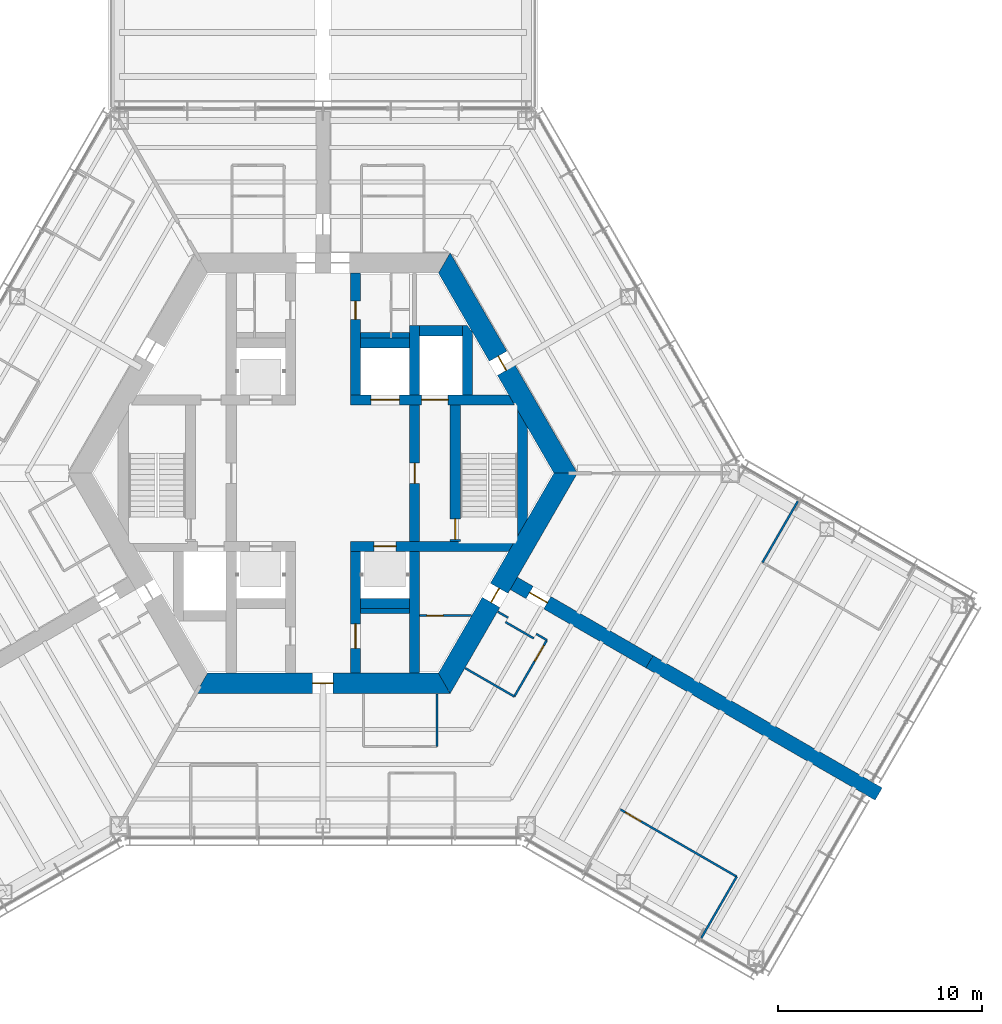
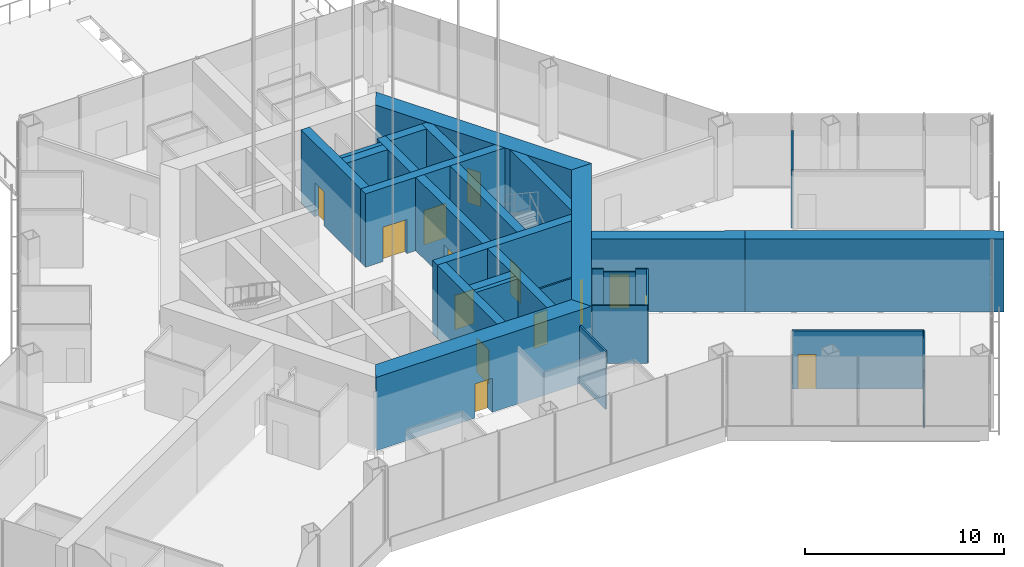
# One storey, part 11 of 18: 30 walls, 14 doors, 14 openings.
"""IFC4 building model written with IfcOpenShell, lengths in metres."""

from ifc_helpers import new_model, si_unit, direction, frame, frame_2d, origin, place, context, subcontext, project, spatial, polyline, rectangle, outline, extrude, material, layer, layer_set, type_object, element, fill, save


model = new_model("IFC4")

# Units and contexts
model_context = context("Model", 3, precision=1e-05, world=origin(), true_north=direction((0.0, 1.0)))
body_context = subcontext(model_context, "Body", "Model", "MODEL_VIEW")
ifc_project = project(units=[si_unit("LENGTHUNIT", "METRE"), si_unit("AREAUNIT", "SQUARE_METRE"), si_unit("VOLUMEUNIT", "CUBIC_METRE"), si_unit("PLANEANGLEUNIT", "RADIAN"), si_unit("MASSUNIT", "GRAM", prefix="KILO")], contexts=[model_context])

# Site, building, storey
site_placement = place(None, origin())
site = spatial("IfcSite", under=ifc_project, at=site_placement, CompositionType="ELEMENT")
building_placement = place(site_placement, origin())
building = spatial("IfcBuilding", under=site, at=building_placement, Name="Kasaneha Research Tower", CompositionType="ELEMENT")
storey_placement = place(building_placement, frame((0.0, 0.0, 128.60009765625)))
storey = spatial("IfcBuildingStorey", under=building, at=storey_placement, Name="L32", CompositionType="ELEMENT", Elevation=128.60009765625)

# Wall, openings, doors
ifc_material_1 = material(Name="Concrete Fc70", Category="concrete")
ifc_layer_1 = layer(ifc_material_1, 0.5)
ifc_layer_set_1 = layer_set([ifc_layer_1], Name="Core internal wall 500 Fc70")
wall_type_1 = type_object("IfcWallType", Name="Core internal wall 500 Fc70", PredefinedType="SHEAR", material=ifc_layer_set_1)
wall_1_placement = place(storey_placement, frame((1.35009765625, 3.60009765625, 0.0), z_axis=(0.0, 0.0, 1.0), x_axis=(1.0, 0.0, 0.0)))
wall_1 = element("IfcWall", 1, at=wall_1_placement, inside=storey, type_object=wall_type_1, Name="Core wall W1E L32", PredefinedType="SHEAR", context=body_context, shape_type="SweptSolid", body=[
    extrude(outline(polyline([(0.0, -0.25), (1.0, -0.25), (2.39990234375, -0.25), (3.5, -0.25), (4.800048828125, -0.25), (8.060546875, -0.25), (7.77197265625, 0.25), (4.800048828125, 0.25), (3.5, 0.25), (2.39990234375, 0.25), (1.0, 0.25), (0.0, 0.25), (0.0, -0.25)])), origin(), (0.0, 0.0, 1.0), 4.5),
])
opening_1_placement = place(wall_1_placement, frame((1.0, 0.0, 0.0)))
opening_1 = element("IfcOpeningElement", 2, at=opening_1_placement, cuts=wall_1, Name="Opening LD-SH1-L32", PredefinedType="OPENING", context=body_context, shape_type="SweptSolid", body=[
    extrude(rectangle(XDim=1.39990234375, YDim=2.10009765625, at=frame_2d((0.699951171875, 1.050048828125))), frame((0.0, 0.260009765625, 0.0), z_axis=(0.0, -1.0, 0.0), x_axis=(1.0, 0.0, 0.0)), (0.0, 0.0, 1.0), 0.52001953125),
])
opening_2_placement = place(wall_1_placement, frame((3.5, 0.0, 0.0)))
opening_2 = element("IfcOpeningElement", 3, at=opening_2_placement, cuts=wall_1, Name="Opening LD-FL1-L32", PredefinedType="OPENING", context=body_context, shape_type="SweptSolid", body=[
    extrude(rectangle(XDim=1.300048828125, YDim=2.10009765625, at=frame_2d((0.64990234375, 1.050048828125))), frame((0.0, 0.260009765625, 0.0), z_axis=(0.0, -1.0, 0.0), x_axis=(1.0, 0.0, 0.0)), (0.0, 0.0, 1.0), 0.52001953125),
])
ifc_material_2 = material(Name="Steel", Category="steel")
door_type_1 = type_object("IfcDoorType", Name="Lift landing door 1300x2100", OperationType="DOUBLE_DOOR_SLIDING", PredefinedType="DOOR", material=ifc_material_2)
door_1_placement = place(opening_2_placement, origin())
door_1 = element("IfcDoor", 4, at=door_1_placement, inside=storey, type_object=door_type_1, Name="Landing door FL1 LD-FL1-L32", OperationType="DOUBLE_DOOR_SLIDING", OverallHeight=2.10009765625, OverallWidth=1.300048828125, PredefinedType="DOOR", context=body_context, shape_type="SweptSolid", body=[
    extrude(rectangle(XDim=1.300048828125, YDim=2.10009765625, at=frame_2d((0.64990234375, 1.050048828125))), frame((0.0, 0.02490234375, 0.0), z_axis=(0.0, -1.0, 0.0), x_axis=(1.0, 0.0, 0.0)), (0.0, 0.0, 1.0), 0.050048828125),
])
fill(opening_2, door_1)
ifc_material_3 = material(Name="Steel", Category="steel")
door_type_2 = type_object("IfcDoorType", Name="Lift landing door 1400x2100", OperationType="DOUBLE_DOOR_SLIDING", PredefinedType="DOOR", material=ifc_material_3)
door_2_placement = place(opening_1_placement, origin())
door_2 = element("IfcDoor", 5, at=door_2_placement, inside=storey, type_object=door_type_2, Name="Landing door SH1 LD-SH1-L32", OperationType="DOUBLE_DOOR_SLIDING", OverallHeight=2.10009765625, OverallWidth=1.39990234375, PredefinedType="DOOR", context=body_context, shape_type="SweptSolid", body=[
    extrude(rectangle(XDim=1.39990234375, YDim=2.10009765625, at=frame_2d((0.699951171875, 1.050048828125))), frame((0.0, 0.02490234375, 0.0), z_axis=(0.0, -1.0, 0.0), x_axis=(1.0, 0.0, 0.0)), (0.0, 0.0, 1.0), 0.050048828125),
])
fill(opening_1, door_2)

# Wall, opening, door
wall_2_placement = place(storey_placement, frame((1.35009765625, -3.60009765625, 0.0), z_axis=(0.0, 0.0, 1.0), x_axis=(1.0, 0.0, 0.0)))
wall_2 = element("IfcWall", 6, at=wall_2_placement, inside=storey, type_object=wall_type_1, Name="Core wall W2E L32", PredefinedType="SHEAR", context=body_context, shape_type="SweptSolid", body=[
    extrude(outline(polyline([(0.0, -0.25), (1.14990234375, -0.25), (2.25, -0.25), (7.77197265625, -0.25), (8.060546875, 0.25), (2.25, 0.25), (1.14990234375, 0.25), (0.0, 0.25), (0.0, -0.25)])), origin(), (0.0, 0.0, 1.0), 4.5),
])
opening_3_placement = place(wall_2_placement, frame((1.14990234375, 0.0, 0.0)))
opening_3 = element("IfcOpeningElement", 7, at=opening_3_placement, cuts=wall_2, Name="Opening LD-LM2-L32", PredefinedType="OPENING", context=body_context, shape_type="SweptSolid", body=[
    extrude(rectangle(XDim=1.10009765625, YDim=2.10009765625, at=frame_2d((0.550048828125, 1.050048828125))), frame((0.0, 0.260009765625, 0.0), z_axis=(0.0, -1.0, 0.0), x_axis=(1.0, 0.0, 0.0)), (0.0, 0.0, 1.0), 0.52001953125),
])
ifc_material_4 = material(Name="Steel", Category="steel")
door_type_3 = type_object("IfcDoorType", Name="Lift landing door 1100x2100", OperationType="DOUBLE_DOOR_SLIDING", PredefinedType="DOOR", material=ifc_material_4)
door_3_placement = place(opening_3_placement, origin())
door_3 = element("IfcDoor", 8, at=door_3_placement, inside=storey, type_object=door_type_3, Name="Landing door LM2 LD-LM2-L32", OperationType="DOUBLE_DOOR_SLIDING", OverallHeight=2.10009765625, OverallWidth=1.10009765625, PredefinedType="DOOR", context=body_context, shape_type="SweptSolid", body=[
    extrude(rectangle(XDim=1.10009765625, YDim=2.10009765625, at=frame_2d((0.550048828125, 1.050048828125))), frame((0.0, 0.02490234375, 0.0), z_axis=(0.0, -1.0, 0.0), x_axis=(1.0, 0.0, 0.0)), (0.0, 0.0, 1.0), 0.050048828125),
])
fill(opening_3, door_3)

wall_3_placement = place(storey_placement, frame((1.60009765625, 3.85009765625, 0.0), z_axis=(0.0, 0.0, 1.0), x_axis=(0.0, 1.0, 0.0)))
wall_3 = element("IfcWall", 9, at=wall_3_placement, inside=storey, type_object=wall_type_1, Name="Core wall CNE L32", PredefinedType="SHEAR", context=body_context, shape_type="SweptSolid", body=[
    extrude(rectangle(XDim=5.974853515625, YDim=0.5, at=frame_2d((2.9873046875, 0.0))), origin(), (0.0, 0.0, 1.0), 4.5),
])
opening_4_placement = place(wall_3_placement, frame((3.699951171875, 0.0, 0.0)))
opening_4 = element("IfcOpeningElement", 10, at=opening_4_placement, cuts=wall_3, Name="Opening L32-D14", PredefinedType="OPENING", context=body_context, shape_type="SweptSolid", body=[
    extrude(rectangle(XDim=0.89990234375, YDim=2.10009765625, at=frame_2d((0.449951171875, 1.050048828125))), frame((0.0, 0.260009765625, 0.0), z_axis=(0.0, -1.0, 0.0), x_axis=(1.0, 0.0, 0.0)), (0.0, 0.0, 1.0), 0.52001953125),
])
ifc_material_5 = material(Name="Steel", Category="steel")
door_type_4 = type_object("IfcDoorType", Name="Toilet door FD20 900x2100", OperationType="NOTDEFINED", PredefinedType="DOOR", material=ifc_material_5)
door_4_placement = place(opening_4_placement, origin())
door_4 = element("IfcDoor", 11, at=door_4_placement, inside=storey, type_object=door_type_4, Name="Women's WC door L32-D14", OperationType="SINGLE_SWING_LEFT", OverallHeight=2.10009765625, OverallWidth=0.89990234375, PredefinedType="DOOR", context=body_context, shape_type="SweptSolid", body=[
    extrude(rectangle(XDim=0.89990234375, YDim=2.10009765625, at=frame_2d((0.449951171875, 1.050048828125))), frame((0.0, 0.02490234375, 0.0), z_axis=(0.0, -1.0, 0.0), x_axis=(1.0, 0.0, 0.0)), (0.0, 0.0, 1.0), 0.050048828125),
])
fill(opening_4, door_4)

wall_4_placement = place(storey_placement, frame((1.60009765625, -3.85009765625, 0.0), z_axis=(0.0, 0.0, 1.0), x_axis=(0.0, -1.0, 0.0)))
wall_4 = element("IfcWall", 12, at=wall_4_placement, inside=storey, type_object=wall_type_1, Name="Core wall CSE L32", PredefinedType="SHEAR", context=body_context, shape_type="SweptSolid", body=[
    extrude(rectangle(XDim=5.974853515625, YDim=0.5, at=frame_2d((2.9873046875, 0.0))), origin(), (0.0, 0.0, 1.0), 4.5),
])
opening_5_placement = place(wall_4_placement, frame((3.550048828125, 0.0, 0.0)))
opening_5 = element("IfcOpeningElement", 13, at=opening_5_placement, cuts=wall_4, Name="Opening L32-D15", PredefinedType="OPENING", context=body_context, shape_type="SweptSolid", body=[
    extrude(rectangle(XDim=1.199951171875, YDim=2.10009765625, at=frame_2d((0.60009765625, 1.050048828125))), frame((0.0, 0.260009765625, 0.0), z_axis=(0.0, -1.0, 0.0), x_axis=(1.0, 0.0, 0.0)), (0.0, 0.0, 1.0), 0.52001953125),
])
ifc_material_6 = material(Name="Steel", Category="steel")
door_type_5 = type_object("IfcDoorType", Name="Accessible toilet sliding door FD20 1200x2100", OperationType="SLIDING_TO_LEFT", PredefinedType="DOOR", material=ifc_material_6)
door_5_placement = place(opening_5_placement, origin())
door_5 = element("IfcDoor", 14, at=door_5_placement, inside=storey, type_object=door_type_5, Name="Accessible WC door L32-D15", OperationType="SLIDING_TO_LEFT", OverallHeight=2.10009765625, OverallWidth=1.199951171875, PredefinedType="DOOR", context=body_context, shape_type="SweptSolid", body=[
    extrude(rectangle(XDim=1.199951171875, YDim=2.10009765625, at=frame_2d((0.60009765625, 1.050048828125))), frame((0.0, 0.02490234375, 0.0), z_axis=(0.0, -1.0, 0.0), x_axis=(1.0, 0.0, 0.0)), (0.0, 0.0, 1.0), 0.050048828125),
])
fill(opening_5, door_5)

wall_5_placement = place(storey_placement, frame((4.5, -3.35009765625, 0.0), z_axis=(0.0, 0.0, 1.0), x_axis=(0.0, 1.0, 0.0)))
wall_5 = element("IfcWall", 15, at=wall_5_placement, inside=storey, type_object=wall_type_1, Name="Core wall LBE L32", PredefinedType="SHEAR", context=body_context, shape_type="SweptSolid", body=[
    extrude(rectangle(XDim=6.7001953125, YDim=0.5, at=frame_2d((3.35009765625, 0.0))), origin(), (0.0, 0.0, 1.0), 4.5),
])
opening_6_placement = place(wall_5_placement, frame((2.85009765625, 0.0, 0.0)))
opening_6 = element("IfcOpeningElement", 16, at=opening_6_placement, cuts=wall_5, Name="Opening L32-D08", PredefinedType="OPENING", context=body_context, shape_type="SweptSolid", body=[
    extrude(rectangle(XDim=1.0, YDim=2.10009765625, at=frame_2d((0.5, 1.050048828125))), frame((0.0, 0.260009765625, 0.0), z_axis=(0.0, -1.0, 0.0), x_axis=(1.0, 0.0, 0.0)), (0.0, 0.0, 1.0), 0.52001953125),
])
ifc_material_7 = material(Name="Steel", Category="steel")
door_type_6 = type_object("IfcDoorType", Name="Specified fire door FD60 1000x2100", OperationType="NOTDEFINED", PredefinedType="DOOR", material=ifc_material_7)
door_6_placement = place(opening_6_placement, origin())
door_6 = element("IfcDoor", 17, at=door_6_placement, inside=storey, type_object=door_type_6, Name="Lift lobby door east L32-D08", OperationType="SINGLE_SWING_LEFT", OverallHeight=2.10009765625, OverallWidth=1.0, PredefinedType="DOOR", context=body_context, shape_type="SweptSolid", body=[
    extrude(rectangle(XDim=1.0, YDim=2.10009765625, at=frame_2d((0.5, 1.050048828125))), frame((0.0, 0.02490234375, 0.0), z_axis=(0.0, -1.0, 0.0), x_axis=(1.0, 0.0, 0.0)), (0.0, 0.0, 1.0), 0.050048828125),
])
fill(opening_6, door_6)

wall_6_placement = place(storey_placement, frame((6.5, -3.35009765625, 0.0), z_axis=(0.0, 0.0, 1.0), x_axis=(0.0, 1.0, 0.0)))
wall_6 = element("IfcWall", 18, at=wall_6_placement, inside=storey, type_object=wall_type_1, Name="Core wall ANE L32", PredefinedType="SHEAR", context=body_context, shape_type="SweptSolid", body=[
    extrude(rectangle(XDim=6.7001953125, YDim=0.5, at=frame_2d((3.35009765625, 0.0))), origin(), (0.0, 0.0, 1.0), 4.5),
])
opening_7_placement = place(wall_6_placement, frame((0.10009765625, 0.0, 0.0)))
opening_7 = element("IfcOpeningElement", 19, at=opening_7_placement, cuts=wall_6, Name="Opening L32-D10", PredefinedType="OPENING", context=body_context, shape_type="SweptSolid", body=[
    extrude(rectangle(XDim=1.0, YDim=2.10009765625, at=frame_2d((0.5, 1.050048828125))), frame((0.0, 0.260009765625, 0.0), z_axis=(0.0, -1.0, 0.0), x_axis=(1.0, 0.0, 0.0)), (0.0, 0.0, 1.0), 0.52001953125),
])
door_7_placement = place(opening_7_placement, origin())
door_7 = element("IfcDoor", 20, at=door_7_placement, inside=storey, type_object=door_type_6, Name="Stair 1 door L32-D10", OperationType="SINGLE_SWING_LEFT", OverallHeight=2.10009765625, OverallWidth=1.0, PredefinedType="DOOR", context=body_context, shape_type="SweptSolid", body=[
    extrude(rectangle(XDim=1.0, YDim=2.10009765625, at=frame_2d((0.5, 1.050048828125))), frame((0.0, 0.02490234375, 0.0), z_axis=(0.0, -1.0, 0.0), x_axis=(1.0, 0.0, 0.0)), (0.0, 0.0, 1.0), 0.050048828125),
])
fill(opening_7, door_7)

# Walls
wall_7_placement = place(storey_placement, frame((4.5, 3.85009765625, 0.0), z_axis=(0.0, 0.0, 1.0), x_axis=(0.0, 1.0, 0.0)))
element("IfcWall", 21, at=wall_7_placement, inside=storey, type_object=wall_type_1, Name="Core wall FNE L32", PredefinedType="SHEAR", context=body_context, shape_type="SweptSolid", body=[
    extrude(rectangle(XDim=3.39990234375, YDim=0.5, at=frame_2d((1.699951171875, 0.0))), origin(), (0.0, 0.0, 1.0), 4.5),
])
wall_8_placement = place(storey_placement, frame((4.5, -3.85009765625, 0.0), z_axis=(0.0, 0.0, 1.0), x_axis=(0.0, -1.0, 0.0)))
element("IfcWall", 22, at=wall_8_placement, inside=storey, type_object=wall_type_1, Name="Core wall SSE L32", PredefinedType="SHEAR", context=body_context, shape_type="SweptSolid", body=[
    extrude(rectangle(XDim=5.974853515625, YDim=0.5, at=frame_2d((2.9873046875, 0.0))), origin(), (0.0, 0.0, 1.0), 4.5),
])
for number, where, z_axis, x_axis, name in (
    (23, (1.85009765625, 6.39990234375, 0.0), (0.0, 0.0, 1.0), (1.0, 0.0, 0.0), "Core wall N3N L32"),
    (24, (1.85009765625, -6.39990234375, 0.0), (0.0, 0.0, 1.0), (1.0, 0.0, 0.0), "Core wall S3S L32"),
):
    element("IfcWall", number, at=place(storey_placement, frame(where, z_axis=z_axis, x_axis=x_axis)), inside=storey, type_object=wall_type_1, Name=name, PredefinedType="SHEAR", context=body_context, shape_type="SweptSolid", body=[
        extrude(rectangle(XDim=2.39990234375, YDim=0.5, at=frame_2d((1.199951171875, 0.0))), origin(), (0.0, 0.0, 1.0), 4.5),
    ])
wall_9_placement = place(storey_placement, frame((4.75, 7.0, 0.0), z_axis=(0.0, 0.0, 1.0), x_axis=(1.0, 0.0, 0.0)))
element("IfcWall", 25, at=wall_9_placement, inside=storey, type_object=wall_type_1, Name="Core wall F1N L32", PredefinedType="SHEAR", context=body_context, shape_type="SweptSolid", body=[
    extrude(rectangle(XDim=2.10009765625, YDim=0.5, at=frame_2d((1.050048828125, 0.0))), origin(), (0.0, 0.0, 1.0), 4.5),
])
wall_10_placement = place(storey_placement, frame((7.10009765625, 3.85009765625, 0.0), z_axis=(0.0, 0.0, 1.0), x_axis=(0.0, 1.0, 0.0)))
element("IfcWall", 26, at=wall_10_placement, inside=storey, type_object=wall_type_1, Name="Core wall F1E L32", PredefinedType="SHEAR", context=body_context, shape_type="SweptSolid", body=[
    extrude(outline(polyline([(0.0, -0.25), (3.0693359375, -0.25), (3.39990234375, 0.0), (3.39990234375, 0.25), (0.0, 0.25), (0.0, -0.25)])), origin(), (0.0, 0.0, 1.0), 4.5),
])
wall_11_placement = place(storey_placement, frame((9.807861328125, -2.662353515625, 0.0), z_axis=(0.0, 0.0, 1.0), x_axis=(0.0, 1.0, 0.0)))
element("IfcWall", 27, at=wall_11_placement, inside=storey, type_object=wall_type_1, Name="Core wall STE L32", PredefinedType="SHEAR", context=body_context, shape_type="SweptSolid", body=[
    extrude(outline(polyline([(0.43310546875, -0.25), (4.8916015625, -0.25), (5.7578125, 0.25), (-0.43310546875, 0.25), (0.43310546875, -0.25)])), origin(), (0.0, 0.0, 1.0), 4.5),
])

# Wall, opening, door
ifc_material_8 = material(Name="Concrete Fc70", Category="concrete")
ifc_layer_2 = layer(ifc_material_8, 1.0)
ifc_layer_set_2 = layer_set([ifc_layer_2], Name="Core wall 1000 Fc70")
wall_type_2 = type_object("IfcWallType", Name="Core wall 1000 Fc70", PredefinedType="SHEAR", material=ifc_layer_set_2)
wall_12_placement = place(storey_placement, frame((11.92236328125, 0.0, 0.0), z_axis=(0.0, 0.0, 1.0), x_axis=(-0.500004296715, 0.866022923061, 0.0)))
wall_12 = element("IfcWall", 28, at=wall_12_placement, inside=storey, type_object=wall_type_2, Name="Core wall 030 L32", PredefinedType="SHEAR", context=body_context, shape_type="SweptSolid", body=[
    extrude(outline(polyline([(-0.28857421875, -0.5), (5.83544921875, -0.5), (6.635498046875, -0.5), (12.2109375, -0.5), (11.6337890625, 0.5), (6.635498046875, 0.5), (5.83544921875, 0.5), (0.28857421875, 0.5), (-0.28857421875, -0.5)])), origin(), (0.0, 0.0, 1.0), 4.5),
])
opening_8_placement = place(wall_12_placement, frame((5.83544921875, 0.0, 0.0)))
opening_8 = element("IfcOpeningElement", 29, at=opening_8_placement, cuts=wall_12, Name="Opening L32-D04", PredefinedType="OPENING", context=body_context, shape_type="SweptSolid", body=[
    extrude(rectangle(XDim=0.800048828125, YDim=2.10009765625, at=frame_2d((0.39990234375, 1.050048828125))), frame((0.0, 0.510009765625, 0.0), z_axis=(0.0, -1.0, 0.0), x_axis=(1.0, 0.0, 0.0)), (0.0, 0.0, 1.0), 1.02001953125),
])
ifc_material_9 = material(Name="Steel", Category="steel")
door_type_7 = type_object("IfcDoorType", Name="Riser access door FD60 800x2100", OperationType="NOTDEFINED", PredefinedType="DOOR", material=ifc_material_9)
door_8_placement = place(opening_8_placement, origin())
door_8 = element("IfcDoor", 30, at=door_8_placement, inside=storey, type_object=door_type_7, Name="Pipe riser door L32-D04", OperationType="SINGLE_SWING_RIGHT", OverallHeight=2.10009765625, OverallWidth=0.800048828125, PredefinedType="DOOR", context=body_context, shape_type="SweptSolid", body=[
    extrude(rectangle(XDim=0.800048828125, YDim=2.10009765625, at=frame_2d((0.39990234375, 1.050048828125))), frame((0.0, 0.02490234375, 0.0), z_axis=(0.0, -1.0, 0.0), x_axis=(1.0, 0.0, 0.0)), (0.0, 0.0, 1.0), 0.050048828125),
])
fill(opening_8, door_8)

wall_13_placement = place(storey_placement, frame((-5.961181640625, -10.324951171875, 0.0), z_axis=(0.0, 0.0, 1.0), x_axis=(1.0, 0.0, 0.0)))
wall_13 = element("IfcWall", 31, at=wall_13_placement, inside=storey, type_object=wall_type_2, Name="Core wall 270 L32", PredefinedType="SHEAR", context=body_context, shape_type="SweptSolid", body=[
    extrude(outline(polyline([(-0.28857421875, -0.5), (5.461181640625, -0.5), (6.461181640625, -0.5), (12.2109375, -0.5), (11.6337890625, 0.5), (6.461181640625, 0.5), (5.461181640625, 0.5), (0.28857421875, 0.5), (-0.28857421875, -0.5)])), origin(), (0.0, 0.0, 1.0), 4.5),
])
opening_9_placement = place(wall_13_placement, frame((5.461181640625, 0.0, 0.0)))
opening_9 = element("IfcOpeningElement", 32, at=opening_9_placement, cuts=wall_13, Name="Opening L32-D03", PredefinedType="OPENING", context=body_context, shape_type="SweptSolid", body=[
    extrude(rectangle(XDim=1.0, YDim=2.10009765625, at=frame_2d((0.5, 1.050048828125))), frame((0.0, 0.510009765625, 0.0), z_axis=(0.0, -1.0, 0.0), x_axis=(1.0, 0.0, 0.0)), (0.0, 0.0, 1.0), 1.02001953125),
])
ifc_material_10 = material(Name="Steel", Category="steel")
door_type_8 = type_object("IfcDoorType", Name="Fire door FD20 1000x2100", OperationType="NOTDEFINED", PredefinedType="DOOR", material=ifc_material_10)
door_9_placement = place(opening_9_placement, origin())
door_9 = element("IfcDoor", 33, at=door_9_placement, inside=storey, type_object=door_type_8, Name="Core door south L32-D03", OperationType="SINGLE_SWING_LEFT", OverallHeight=2.10009765625, OverallWidth=1.0, PredefinedType="DOOR", context=body_context, shape_type="SweptSolid", body=[
    extrude(rectangle(XDim=1.0, YDim=2.10009765625, at=frame_2d((0.5, 1.050048828125))), frame((0.0, 0.02490234375, 0.0), z_axis=(0.0, -1.0, 0.0), x_axis=(1.0, 0.0, 0.0)), (0.0, 0.0, 1.0), 0.050048828125),
])
fill(opening_9, door_9)

wall_14_placement = place(storey_placement, frame((5.961181640625, -10.324951171875, 0.0), z_axis=(0.0, 0.0, 1.0), x_axis=(0.500004296715, 0.866022923061, 0.0)))
wall_14 = element("IfcWall", 34, at=wall_14_placement, inside=storey, type_object=wall_type_2, Name="Core wall 330 L32", PredefinedType="SHEAR", context=body_context, shape_type="SweptSolid", body=[
    extrude(outline(polyline([(-0.28857421875, -0.5), (4.593994140625, -0.5), (5.39404296875, -0.5), (12.2109375, -0.5), (11.6337890625, 0.5), (5.39404296875, 0.5), (4.593994140625, 0.5), (0.28857421875, 0.5), (-0.28857421875, -0.5)])), origin(), (0.0, 0.0, 1.0), 4.5),
])
opening_10_placement = place(wall_14_placement, frame((4.593994140625, 0.0, 0.0)))
opening_10 = element("IfcOpeningElement", 35, at=opening_10_placement, cuts=wall_14, Name="Opening L32-D05", PredefinedType="OPENING", context=body_context, shape_type="SweptSolid", body=[
    extrude(rectangle(XDim=0.800048828125, YDim=2.10009765625, at=frame_2d((0.39990234375, 1.050048828125))), frame((0.0, 0.510009765625, 0.0), z_axis=(0.0, -1.0, 0.0), x_axis=(1.0, 0.0, 0.0)), (0.0, 0.0, 1.0), 1.02001953125),
])
door_10_placement = place(opening_10_placement, origin())
door_10 = element("IfcDoor", 36, at=door_10_placement, inside=storey, type_object=door_type_7, Name="Pipe riser door L32-D05", OperationType="SINGLE_SWING_LEFT", OverallHeight=2.10009765625, OverallWidth=0.800048828125, PredefinedType="DOOR", context=body_context, shape_type="SweptSolid", body=[
    extrude(rectangle(XDim=0.800048828125, YDim=2.10009765625, at=frame_2d((0.39990234375, 1.050048828125))), frame((0.0, 0.02490234375, 0.0), z_axis=(0.0, -1.0, 0.0), x_axis=(1.0, 0.0, 0.0)), (0.0, 0.0, 1.0), 0.050048828125),
])
fill(opening_10, door_10)

ifc_material_11 = material(Name="Gypsum board on steel studs, one layer each side", Category="steel")
ifc_layer_3 = layer(ifc_material_11, 0.10009765625)
ifc_layer_set_3 = layer_set([ifc_layer_3], Name="Office partition 100")
wall_type_3 = type_object("IfcWallType", Name="Office partition 100", PredefinedType="PARTITIONING", material=ifc_layer_set_3)
wall_15_placement = place(storey_placement, frame((4.75, -7.0, 0.0), z_axis=(0.0, 0.0, 1.0), x_axis=(1.0, 0.0, 0.0)))
wall_15 = element("IfcWall", 37, at=wall_15_placement, inside=storey, type_object=wall_type_3, Name="Office partition RS-SE L32", PredefinedType="PARTITIONING", context=body_context, shape_type="SweptSolid", body=[
    extrude(outline(polyline([(0.0, -0.050048828125), (0.35009765625, -0.050048828125), (1.150146484375, -0.050048828125), (2.524658203125, -0.050048828125), (2.553466796875, 0.0), (2.559326171875, 0.050048828125), (1.150146484375, 0.050048828125), (0.35009765625, 0.050048828125), (0.0, 0.050048828125), (0.0, -0.050048828125)])), origin(), (0.0, 0.0, 1.0), 3.5498046875),
])
opening_11_placement = place(wall_15_placement, frame((0.35009765625, 0.0, 0.0)))
opening_11 = element("IfcOpeningElement", 38, at=opening_11_placement, cuts=wall_15, Name="Opening L32-D24", PredefinedType="OPENING", context=body_context, shape_type="SweptSolid", body=[
    extrude(rectangle(XDim=0.800048828125, YDim=2.10009765625, at=frame_2d((0.39990234375, 1.050048828125))), frame((0.0, 0.06005859375, 0.0), z_axis=(0.0, -1.0, 0.0), x_axis=(1.0, 0.0, 0.0)), (0.0, 0.0, 1.0), 0.1201171875),
])
door_11_placement = place(opening_11_placement, origin())
door_11 = element("IfcDoor", 39, at=door_11_placement, inside=storey, type_object=door_type_7, Name="Drainage riser door L32-D24", OperationType="SINGLE_SWING_LEFT", OverallHeight=2.10009765625, OverallWidth=0.800048828125, PredefinedType="DOOR", context=body_context, shape_type="SweptSolid", body=[
    extrude(rectangle(XDim=0.800048828125, YDim=2.10009765625, at=frame_2d((0.39990234375, 1.050048828125))), frame((0.0, 0.02490234375, 0.0), z_axis=(0.0, -1.0, 0.0), x_axis=(1.0, 0.0, 0.0)), (0.0, 0.0, 1.0), 0.050048828125),
])
fill(opening_11, door_11)

# Walls
wall_16_placement = place(storey_placement, frame((21.59228515625, -4.38330078125, 0.0), z_axis=(0.0, 0.0, 1.0), x_axis=(0.500009906705, 0.86601968407, 0.0)))
element("IfcWall", 40, at=wall_16_placement, inside=storey, type_object=wall_type_3, Name="Office partition FCE01 L32", PredefinedType="PARTITIONING", context=body_context, shape_type="SweptSolid", body=[
    extrude(rectangle(XDim=3.47998046875, YDim=0.10009765625, at=frame_2d((1.739990234375, 0.0))), origin(), (0.0, 0.0, 1.0), 3.5498046875),
])
wall_17_placement = place(storey_placement, frame((8.592041015625, -6.80810546875, 0.0), z_axis=(0.0, 0.0, 1.0), x_axis=(0.865954211699, -0.50012328804, 0.0)))
element("IfcWall", 41, at=wall_17_placement, inside=storey, type_object=wall_type_3, Name="Office partition FCS01 L32", PredefinedType="PARTITIONING", context=body_context, shape_type="SweptSolid", body=[
    extrude(rectangle(XDim=0.579833984375, YDim=0.10009765625, at=frame_2d((0.2900390625, 0.0))), origin(), (0.0, 0.0, 1.0), 3.5498046875),
])
wall_18_placement = place(storey_placement, frame((8.96923828125, -7.314697265625, 0.0), z_axis=(0.0, 0.0, 1.0), x_axis=(0.866094119867, -0.499880961361, 0.0)))
element("IfcWall", 42, at=wall_18_placement, inside=storey, type_object=wall_type_3, Name="Office partition FCS02 L32", PredefinedType="PARTITIONING", context=body_context, shape_type="SweptSolid", body=[
    extrude(rectangle(XDim=1.60009765625, YDim=0.10009765625, at=frame_2d((0.800048828125, 0.0))), origin(), (0.0, 0.0, 1.0), 3.5498046875),
])
wall_19_placement = place(storey_placement, frame((9.399658203125, -10.969482421875, 0.0), z_axis=(0.0, 0.0, 1.0), x_axis=(-0.866018876994, 0.500011304563, 0.0)))
element("IfcWall", 43, at=wall_19_placement, inside=storey, type_object=wall_type_3, Name="Office partition FCS03 L32", PredefinedType="PARTITIONING", context=body_context, shape_type="SweptSolid", body=[
    extrude(rectangle(XDim=2.7802734375, YDim=0.10009765625, at=frame_2d((1.39013671875, 0.0))), origin(), (0.0, 0.0, 1.0), 3.5498046875),
])
wall_20_placement = place(storey_placement, frame((10.47998046875, -7.898193359375, 0.0), z_axis=(0.0, 0.0, 1.0), x_axis=(0.866131372301, -0.499816412211, 0.0)))
element("IfcWall", 44, at=wall_20_placement, inside=storey, type_object=wall_type_3, Name="Office partition FCS04 L32", PredefinedType="PARTITIONING", context=body_context, shape_type="SweptSolid", body=[
    extrude(rectangle(XDim=0.599853515625, YDim=0.10009765625, at=frame_2d((0.2998046875, 0.0))), origin(), (0.0, 0.0, 1.0), 3.5498046875),
])

# Wall, opening, door
wall_21_placement = place(storey_placement, frame((10.99951171875, -8.197998046875, 0.0), z_axis=(0.0, 0.0, 1.0), x_axis=(-0.499938187974, -0.866061088033, 0.0)))
wall_21 = element("IfcWall", 45, at=wall_21_placement, inside=storey, type_object=wall_type_3, Name="Office partition FCS05 L32", PredefinedType="PARTITIONING", context=body_context, shape_type="SweptSolid", body=[
    extrude(rectangle(XDim=3.2001953125, YDim=0.10009765625, at=frame_2d((1.60009765625, 0.0))), origin(), (0.0, 0.0, 1.0), 3.5498046875),
])
opening_12_placement = place(wall_21_placement, frame((0.300048828125, 0.0, 0.0)))
opening_12 = element("IfcOpeningElement", 46, at=opening_12_placement, cuts=wall_21, Name="Opening L32-D41", PredefinedType="OPENING", context=body_context, shape_type="SweptSolid", body=[
    extrude(rectangle(XDim=0.89990234375, YDim=2.10009765625, at=frame_2d((0.449951171875, 1.050048828125))), frame((0.0, 0.06005859375, 0.0), z_axis=(0.0, -1.0, 0.0), x_axis=(1.0, 0.0, 0.0)), (0.0, 0.0, 1.0), 0.1201171875),
])
ifc_material_12 = material(Name="Timber veneer", Category="wood")
door_type_9 = type_object("IfcDoorType", Name="Office door 900x2100", OperationType="SINGLE_SWING_LEFT", PredefinedType="DOOR", material=ifc_material_12)
door_12_placement = place(opening_12_placement, origin())
door_12 = element("IfcDoor", 47, at=door_12_placement, inside=storey, type_object=door_type_9, Name="Pantry door L32-D41", OperationType="SINGLE_SWING_LEFT", OverallHeight=2.10009765625, OverallWidth=0.89990234375, PredefinedType="DOOR", context=body_context, shape_type="SweptSolid", body=[
    extrude(rectangle(XDim=0.89990234375, YDim=2.10009765625, at=frame_2d((0.449951171875, 1.050048828125))), frame((0.0, 0.02490234375, 0.0), z_axis=(0.0, -1.0, 0.0), x_axis=(1.0, 0.0, 0.0)), (0.0, 0.0, 1.0), 0.050048828125),
])
fill(opening_12, door_12)

wall_22_placement = place(storey_placement, frame((14.59228515625, -16.5078125, 0.0), z_axis=(0.0, 0.0, 1.0), x_axis=(0.866037567856, -0.499978930619, 0.0)))
wall_22 = element("IfcWall", 48, at=wall_22_placement, inside=storey, type_object=wall_type_3, Name="Office partition FCS10 L32", PredefinedType="PARTITIONING", context=body_context, shape_type="SweptSolid", body=[
    extrude(rectangle(XDim=6.619384765625, YDim=0.10009765625, at=frame_2d((3.3095703125, 0.0))), origin(), (0.0, 0.0, 1.0), 3.5498046875),
])
opening_13_placement = place(wall_22_placement, frame((0.300048828125, 0.0, 0.0)))
opening_13 = element("IfcOpeningElement", 49, at=opening_13_placement, cuts=wall_22, Name="Opening L32-D43", PredefinedType="OPENING", context=body_context, shape_type="SweptSolid", body=[
    extrude(rectangle(XDim=0.89990234375, YDim=2.10009765625, at=frame_2d((0.449951171875, 1.050048828125))), frame((0.0, 0.06005859375, 0.0), z_axis=(0.0, -1.0, 0.0), x_axis=(1.0, 0.0, 0.0)), (0.0, 0.0, 1.0), 0.1201171875),
])
door_13_placement = place(opening_13_placement, origin())
door_13 = element("IfcDoor", 50, at=door_13_placement, inside=storey, type_object=door_type_9, Name="Manager's office door L32-D43", OperationType="SINGLE_SWING_LEFT", OverallHeight=2.10009765625, OverallWidth=0.89990234375, PredefinedType="DOOR", context=body_context, shape_type="SweptSolid", body=[
    extrude(rectangle(XDim=0.89990234375, YDim=2.10009765625, at=frame_2d((0.449951171875, 1.050048828125))), frame((0.0, 0.02490234375, 0.0), z_axis=(0.0, -1.0, 0.0), x_axis=(1.0, 0.0, 0.0)), (0.0, 0.0, 1.0), 0.050048828125),
])
fill(opening_13, door_13)

# Walls
wall_23_placement = place(storey_placement, frame((20.324951171875, -19.8173828125, 0.0), z_axis=(0.0, 0.0, 1.0), x_axis=(-0.499979528911, -0.866037222451, 0.0)))
element("IfcWall", 51, at=wall_23_placement, inside=storey, type_object=wall_type_3, Name="Office partition FCS11 L32", PredefinedType="PARTITIONING", context=body_context, shape_type="SweptSolid", body=[
    extrude(rectangle(XDim=3.480224609375, YDim=0.10009765625, at=frame_2d((1.740234375, 0.0))), origin(), (0.0, 0.0, 1.0), 3.5498046875),
])
wall_24_placement = place(storey_placement, frame((5.60009765625, -10.844970703125, 0.0), z_axis=(0.0, 0.0, 1.0), x_axis=(0.0, -1.0, 0.0)))
element("IfcWall", 52, at=wall_24_placement, inside=storey, type_object=wall_type_3, Name="Office partition FCS14 L32", PredefinedType="PARTITIONING", context=body_context, shape_type="SweptSolid", body=[
    extrude(rectangle(XDim=2.580078125, YDim=0.10009765625, at=frame_2d((1.2900390625, 0.0))), origin(), (0.0, 0.0, 1.0), 3.5498046875),
])

# Wall, opening, door
ifc_material_13 = material(Name="Concrete Fc70", Category="concrete")
ifc_layer_4 = layer(ifc_material_13, 0.699951171875)
ifc_layer_set_4 = layer_set([ifc_layer_4], Name="Spine wall 700 Fc70")
wall_type_4 = type_object("IfcWallType", Name="Spine wall 700 Fc70", PredefinedType="SHEAR", material=ifc_layer_set_4)
wall_25_placement = place(storey_placement, frame((9.374755859375, -5.41259765625, 0.0), z_axis=(0.0, 0.0, 1.0), x_axis=(0.866032377459, -0.499987921047, 0.0)))
wall_25 = element("IfcWall", 53, at=wall_25_placement, inside=storey, type_object=wall_type_4, Name="Spine wall C L32", PredefinedType="SHEAR", context=body_context, shape_type="SweptSolid", body=[
    extrude(rectangle(XDim=7.695556640625, YDim=0.699951171875, at=frame_2d((3.84765625, 0.0))), origin(), (0.0, 0.0, 1.0), 4.5),
])
opening_14_placement = place(wall_25_placement, frame((0.89990234375, 0.0, 0.0)))
opening_14 = element("IfcOpeningElement", 54, at=opening_14_placement, cuts=wall_25, Name="Opening L32-D19", PredefinedType="OPENING", context=body_context, shape_type="SweptSolid", body=[
    extrude(rectangle(XDim=1.0, YDim=2.10009765625, at=frame_2d((0.5, 1.050048828125))), frame((0.0, 0.35986328125, 0.0), z_axis=(0.0, -1.0, 0.0), x_axis=(1.0, 0.0, 0.0)), (0.0, 0.0, 1.0), 0.719970703125),
])
door_14_placement = place(opening_14_placement, origin())
door_14 = element("IfcDoor", 55, at=door_14_placement, inside=storey, type_object=door_type_6, Name="Spine doorway C L32-D19", OperationType="SINGLE_SWING_LEFT", OverallHeight=2.10009765625, OverallWidth=1.0, PredefinedType="DOOR", context=body_context, shape_type="SweptSolid", body=[
    extrude(rectangle(XDim=1.0, YDim=2.10009765625, at=frame_2d((0.5, 1.050048828125))), frame((0.0, 0.02490234375, 0.0), z_axis=(0.0, -1.0, 0.0), x_axis=(1.0, 0.0, 0.0)), (0.0, 0.0, 1.0), 0.050048828125),
])
fill(opening_14, door_14)

# Walls
wall_26_placement = place(storey_placement, frame((16.039306640625, -9.26025390625, 0.0), z_axis=(0.0, 0.0, 1.0), x_axis=(0.866024837091, -0.50000098154, 0.0)))
element("IfcWall", 56, at=wall_26_placement, inside=storey, type_object=wall_type_4, Name="Spine wall C wing L32", PredefinedType="SHEAR", context=body_context, shape_type="SweptSolid", body=[
    extrude(rectangle(XDim=13.0, YDim=0.699951171875, at=frame_2d((6.5, 0.0))), origin(), (0.0, 0.0, 1.0), 4.5),
])
ifc_material_14 = material(Name="Concrete block lining", Category="concrete")
ifc_layer_5 = layer(ifc_material_14, 0.25)
ifc_layer_set_5 = layer_set([ifc_layer_5], Name="WC plumbing wall 250")
wall_type_5 = type_object("IfcWallType", Name="WC plumbing wall 250", PredefinedType="PLUMBINGWALL", material=ifc_layer_set_5)
for number, where, z_axis, x_axis, name in (
    (57, (1.85009765625, 6.77490234375, 0.0), (0.0, 0.0, 1.0), (1.0, 0.0, 0.0), "WC plumbing wall F L32"),
    (58, (1.85009765625, -6.77490234375, 0.0), (0.0, 0.0, 1.0), (1.0, 0.0, 0.0), "WC plumbing wall A L32"),
):
    element("IfcWall", number, at=place(storey_placement, frame(where, z_axis=z_axis, x_axis=x_axis)), inside=storey, type_object=wall_type_5, Name=name, PredefinedType="PLUMBINGWALL", context=body_context, shape_type="SweptSolid", body=[
        extrude(rectangle(XDim=2.39990234375, YDim=0.25, at=frame_2d((1.199951171875, 0.0))), origin(), (0.0, 0.0, 1.0), 4.5),
    ])

save(model, "model.ifc")
